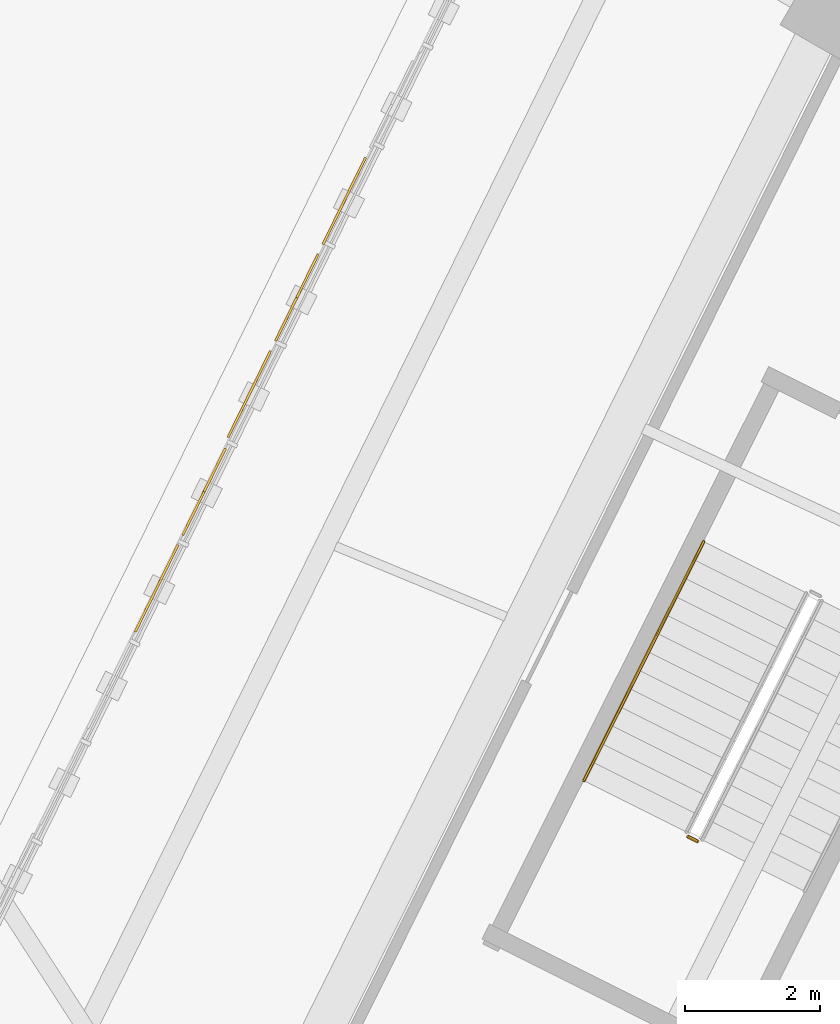
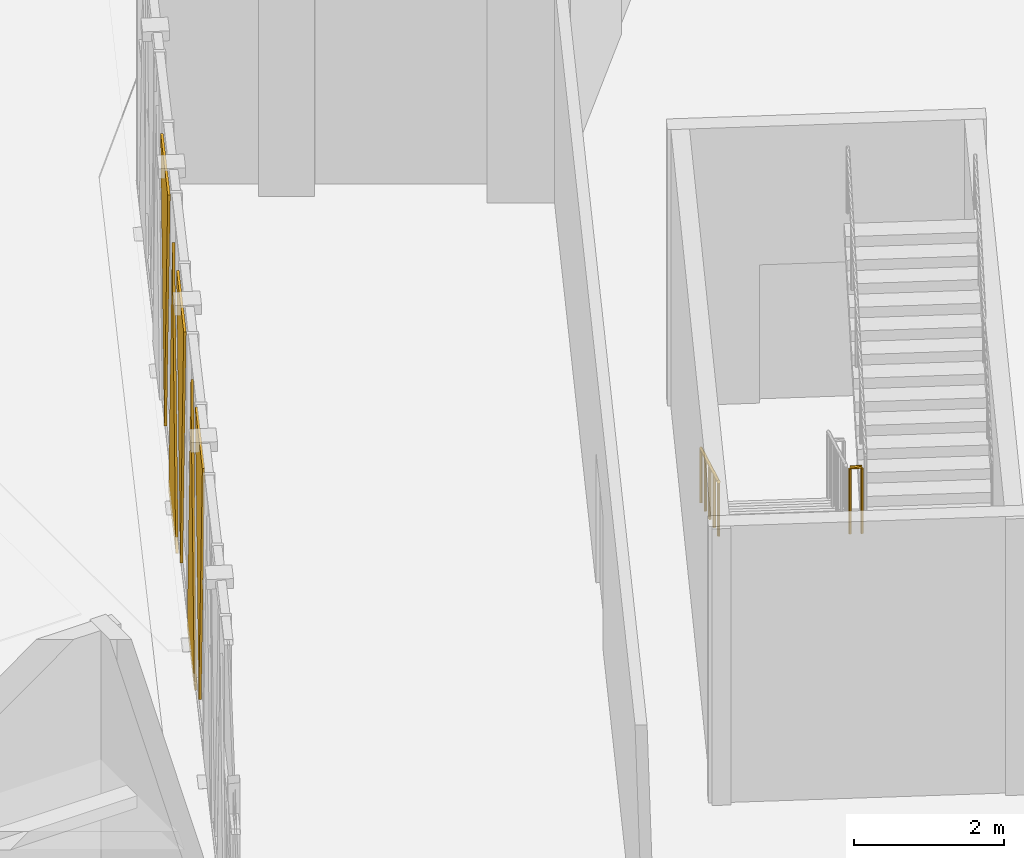
# One storey, part 140 of 179: 5 coverings, 2 railings.
"""IFC4 building model written with IfcOpenShell, lengths in metres."""

from ifc_helpers import new_model, si_unit, direction, frame, origin, origin_2d, place, context, subcontext, project, spatial, polyline, circle, outline, extrude, material, layer, layer_set, type_object, element, save


model = new_model("IFC4")

# Units and contexts
model_context = context("Model", 3, precision=1e-05, world=origin(), true_north=direction((0.0, 1.0)))
body_context = subcontext(model_context, "Body", "Model", "MODEL_VIEW")
ifc_project = project(units=[si_unit("LENGTHUNIT", "METRE"), si_unit("AREAUNIT", "SQUARE_METRE"), si_unit("VOLUMEUNIT", "CUBIC_METRE"), si_unit("PLANEANGLEUNIT", "RADIAN"), si_unit("MASSUNIT", "GRAM", prefix="KILO")], contexts=[model_context])

# Site, building, storey
site_placement = place(None, origin())
site = spatial("IfcSite", under=ifc_project, at=site_placement, CompositionType="ELEMENT")
building_placement = place(site_placement, origin())
building = spatial("IfcBuilding", under=site, at=building_placement, Name="Zevraka Park Crest Stadium", CompositionType="ELEMENT")
storey_placement = place(building_placement, frame((0.0, 0.0, 10.199951171875)))
storey = spatial("IfcBuildingStorey", under=building, at=storey_placement, Name="L02", CompositionType="ELEMENT", Elevation=10.199951171875)

# Coverings
ifc_material_1 = material(Name="Architectural golden-bronze perforated aluminium", Category="aluminium")
ifc_layer = layer(ifc_material_1, 0.034912109375)
ifc_layer_set = layer_set([ifc_layer], Name="Architectural golden-bronze perforated aluminium")
covering_type = type_object("IfcCoveringType", Name="CLD01", PredefinedType="CLADDING", material=ifc_layer_set)
covering_1_placement = place(storey_placement, frame((26.318115234375, 126.193115234375, 4.47998046875), z_axis=(0.897369847481, -0.441279196484, 0.000166080445), x_axis=(0.44127920257, 0.897369859857, 0.0)))
element("IfcCovering", 1, at=covering_1_placement, inside=storey, type_object=covering_type, Name="Triangular Golden-Bronze Perforated Cladding L02-10-4", PredefinedType="CLADDING", context=body_context, shape_type="SweptSolid", body=[
    extrude(outline(polyline([(0.0, 0.0), (1.4340410704018465, 0.0), (0.7166882924654494, -4.260009824376318), (0.0, 0.0)])), origin(), (0.0, 0.0, -1.0), 0.034912109375),
])
covering_2_placement = place(storey_placement, frame((26.248046875, 126.049072265625, -0.239990234375), z_axis=(0.897468090966, -0.441079370712, 0.000120123687), x_axis=(-0.441079373894, -0.897468097441, 0.0)))
element("IfcCovering", 2, at=covering_2_placement, inside=storey, type_object=covering_type, Name="Triangular Golden-Bronze Perforated Cladding L02-10-5", PredefinedType="CLADDING", context=body_context, shape_type="SweptSolid", body=[
    extrude(outline(polyline([(0.0, 0.0), (1.4352442623555979, 0.0), (0.7178913446628418, -4.56005862665014), (0.0, 0.0)])), origin(), (0.0, 0.0, -1.0), 0.034912109375),
])
covering_3_placement = place(storey_placement, frame((24.910888671875, 123.330078125, 4.47998046875), z_axis=(0.897434989947, -0.441146716385, 0.000115938685), x_axis=(0.44114671935, 0.897434995978, 0.0)))
element("IfcCovering", 3, at=covering_3_placement, inside=storey, type_object=covering_type, Name="Triangular Golden-Bronze Perforated Cladding L02-10-6", PredefinedType="CLADDING", context=body_context, shape_type="SweptSolid", body=[
    extrude(outline(polyline([(0.0, 0.0), (1.4350251579737685, 0.0), (0.7178913837467389, -4.260009794256054), (0.0, 0.0)])), origin(), (0.0, 0.0, -1.0), 0.034912109375),
])
covering_4_placement = place(storey_placement, frame((24.841064453125, 123.18603515625, -0.239990234375), z_axis=(-0.897335594174, 0.441348861095, 0.000119322257), x_axis=(-0.441348864237, -0.897335600562, 0.0)))
element("IfcCovering", 4, at=covering_4_placement, inside=storey, type_object=covering_type, Name="Triangular Golden-Bronze Perforated Cladding L02-10-7", PredefinedType="CLADDING", context=body_context, shape_type="SweptSolid", body=[
    extrude(outline(polyline([(0.0, 0.0), (1.4343678933426742, 0.0), (0.7174604720387123, 4.560058626212604), (0.0, 0.0)])), origin(), (0.0, 0.0, -1.0), 0.034912109375),
])
covering_5_placement = place(storey_placement, frame((23.5048828125, 120.467041015625, 4.47998046875), z_axis=(-0.897434992361, 0.441146717572, 8.9788862e-05), x_axis=(0.44114671935, 0.897434995978, 0.0)))
element("IfcCovering", 5, at=covering_5_placement, inside=storey, type_object=covering_type, Name="Triangular Golden-Bronze Perforated Cladding L02-10-8", PredefinedType="CLADDING", context=body_context, shape_type="SweptSolid", body=[
    extrude(outline(polyline([(0.0, 0.0), (1.4350251579737685, 0.0), (0.7174605764036235, 4.260009782797184), (0.0, 0.0)])), origin(), (0.0, 0.0, -1.0), 0.034912109375),
])

# Railings
ifc_material_2 = material(Name="Powder-coated tubular steel stairwell guard", Category="steel")
railing_type_1 = type_object("IfcRailingType", Name="GR03", PredefinedType="GUARDRAIL", material=ifc_material_2)
railing_1_placement = place(storey_placement, frame((31.714111328125, 117.4228515625, 2.400146484375)))
element("IfcRailing", 6, at=railing_1_placement, inside=storey, type_object=railing_type_1, Name="L02 ST11 stair guard 2", PredefinedType="GUARDRAIL", context=body_context, shape_type="SweptSolid", body=[
    extrude(circle(Radius=0.02392578125, at=origin_2d()), frame((0.0, 0.0, 1.076171875), z_axis=(0.893816245171, -0.44843340628, 0.0), x_axis=(0.44843340628, 0.893816245171, 0.0)), (0.0, 0.0, 1.0), 0.16015625),
    extrude(circle(Radius=0.02099609375, at=origin_2d()), origin(), (0.0, 0.0, 1.0), 1.052001953125),
    extrude(circle(Radius=0.02099609375, at=origin_2d()), frame((0.14306640625, -0.07177734375, 0.0)), (0.0, 0.0, 1.0), 1.052001953125),
])
ifc_material_3 = material(Name="Brushed stainless steel continuous handrail", Category="steel")
railing_type_2 = type_object("IfcRailingType", Name="HR01", PredefinedType="HANDRAIL", material=ifc_material_3)
railing_2_placement = place(storey_placement, frame((31.947998046875, 121.79638671875, 0.17138671875)))
element("IfcRailing", 7, at=railing_2_placement, inside=storey, type_object=railing_type_2, Name="L02 ST11 stair handrail 1", PredefinedType="HANDRAIL", context=body_context, shape_type="SweptSolid", body=[
    extrude(circle(Radius=0.02392578125, at=origin_2d()), frame((0.0, 0.0, 0.8759765625), z_axis=(-0.390489200891, -0.779368137037, 0.490003562191), x_axis=(0.894057440576, -0.447952333346, 0.0)), (0.0, 0.0, 1.0), 4.54833984375),
    extrude(circle(Radius=0.02099609375, at=origin_2d()), origin(), (0.0, 0.0, 1.0), 0.851806640625),
    extrude(circle(Radius=0.02099609375, at=origin_2d()), frame((-0.444091796875, -0.88623046875, 0.55712890625)), (0.0, 0.0, 1.0), 0.851806640625),
    extrude(circle(Radius=0.02099609375, at=origin_2d()), frame((-0.88818359375, -1.7724609375, 1.1142578125)), (0.0, 0.0, 1.0), 0.851806640625),
    extrude(circle(Radius=0.02099609375, at=origin_2d()), frame((-1.33203125, -2.65869140625, 1.671630859375)), (0.0, 0.0, 1.0), 0.851806640625),
    extrude(circle(Radius=0.02099609375, at=origin_2d()), frame((-1.776123046875, -3.544921875, 2.228759765625)), (0.0, 0.0, 1.0), 0.851806640625),
])

save(model, "model.ifc")
